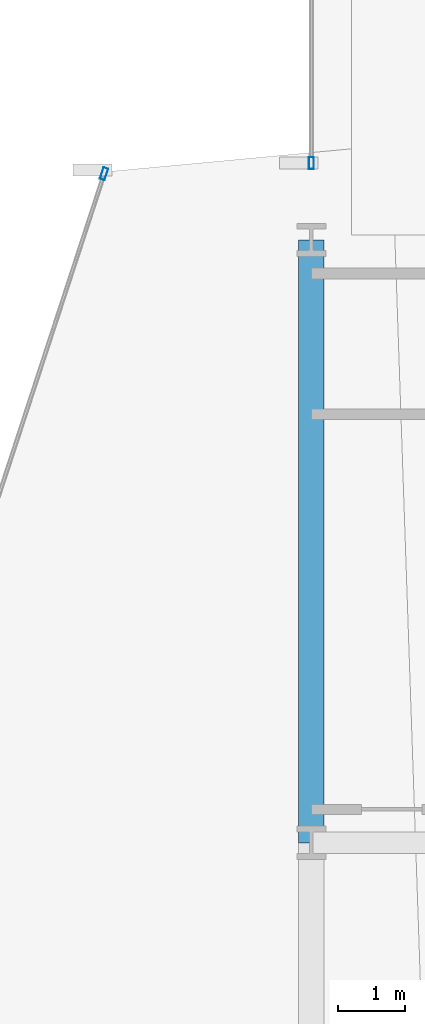
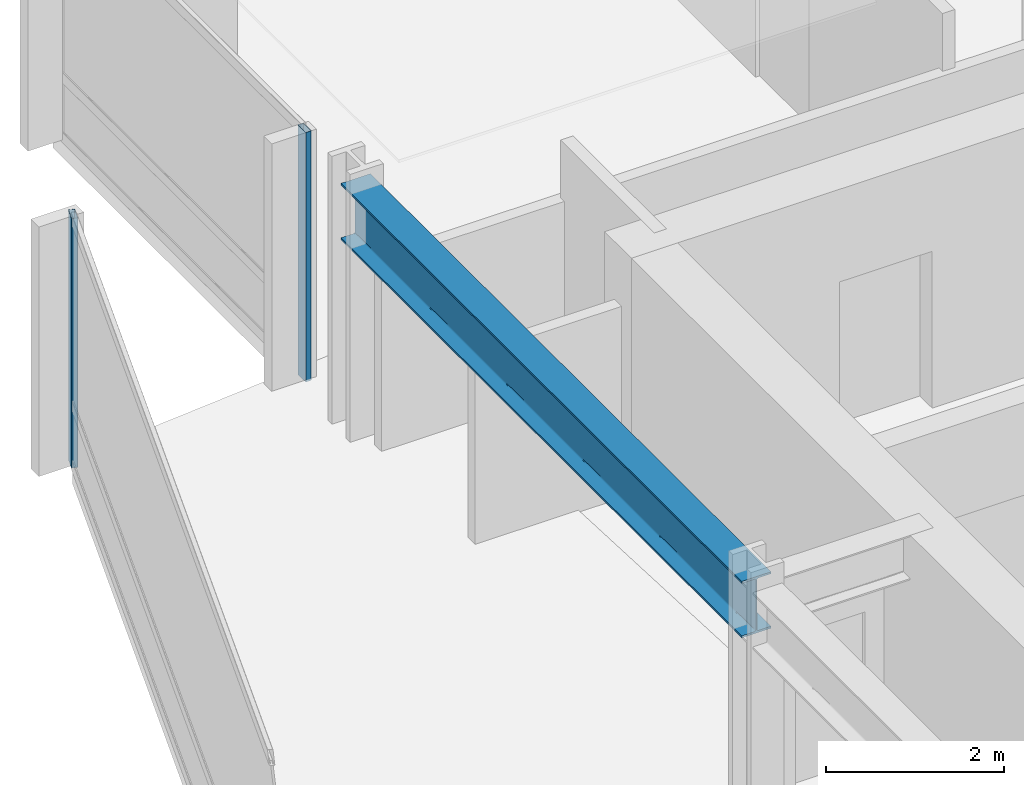
# One storey, part 19 of 34: 2 members, 1 beam, 2 elements without a shape of their own.
"""IFC4 building model written with IfcOpenShell, lengths in metres."""

import ifcopenshell
import ifcopenshell.guid

model = None  # the IFC model being written
_history = None  # IfcOwnerHistory: only IFC2X3 demands one
_inside = {}  # id of a spatial element -> (the spatial element, [elements in it])
_under = {}  # id of a project, library or spatial element -> (it, [spatial elements below it])
_declared = {}  # id of a project -> (the project, [libraries it declares])
_typed = {}  # id of a type object -> (the type object, [elements of that type])
_made_of = {}  # id of a material, layer set ... -> (it, [elements and type objects made of it])


def new_model(schema):
    """Start an empty IFC model of exactly this schema.

    Asked for "IFC4X3", IfcOpenShell would pick the latest addendum, in which some entities
    have other attributes; the version numbers below select the first issue.
    IFC2X3 requires an IfcOwnerHistory on every rooted entity: one is made here for all.
    """
    global model, _history
    if schema == "IFC4X3":
        model = ifcopenshell.file(schema_version=(4, 3, 0, 0))
    else:
        model = ifcopenshell.file(schema=schema)
    _inside.clear()
    _under.clear()
    _declared.clear()
    _typed.clear()
    _made_of.clear()
    _history = None
    if model.schema == "IFC2X3":
        org = make("IfcOrganization", Name="unknown")
        user = make(
            "IfcPersonAndOrganization",
            ThePerson=make("IfcPerson", FamilyName="unknown"),
            TheOrganization=org,
        )
        app = make(
            "IfcApplication",
            ApplicationDeveloper=org,
            Version="unknown",
            ApplicationFullName="unknown",
            ApplicationIdentifier="unknown",
        )
        _history = make(
            "IfcOwnerHistory",
            OwningUser=user,
            OwningApplication=app,
            ChangeAction="ADDED",
            CreationDate=0,
        )
    return model


def make(cls, **values):
    """One entity of the class cls with the attributes given. An attribute that is None is left unset."""
    return model.create_entity(
        cls, **{name: value for name, value in values.items() if value is not None}
    )


def rooted(cls, **values):
    """An entity with a GlobalId (a new one), such as an element, a storey or a relation."""
    return make(cls, GlobalId=ifcopenshell.guid.new(), OwnerHistory=_history, **values)


def si_unit(unit_type, name, prefix=None):
    """IfcSIUnit, for example si_unit("LENGTHUNIT", "METRE", prefix="MILLI")."""
    return make("IfcSIUnit", UnitType=unit_type, Prefix=prefix, Name=name)


def assignment(units):
    """IfcUnitAssignment: the units of a project."""
    return None if units is None else make("IfcUnitAssignment", Units=units)


def point(xyz):
    """IfcCartesianPoint."""
    return None if xyz is None else make("IfcCartesianPoint", Coordinates=xyz)


def direction(xyz):
    """IfcDirection."""
    return None if xyz is None else make("IfcDirection", DirectionRatios=xyz)


def frame(location, z_axis=None, x_axis=None):
    """IfcAxis2Placement3D, a coordinate frame: its origin and axes. An axis left out is left unset."""
    return make(
        "IfcAxis2Placement3D",
        Location=point(location),
        Axis=direction(z_axis),
        RefDirection=direction(x_axis),
    )


def frame_2d(location, x_axis=None):
    """IfcAxis2Placement2D, a coordinate frame in the plane: its origin and x axis."""
    return make(
        "IfcAxis2Placement2D", Location=point(location), RefDirection=direction(x_axis)
    )


def origin():
    """The frame at (0, 0, 0) with its axes left unset."""
    return frame((0.0, 0.0, 0.0))


def origin_2d():
    """The frame at (0, 0) in the plane with its x axis left unset."""
    return frame_2d((0.0, 0.0))


def place(relative_to, where):
    """IfcLocalPlacement: puts the frame where relative to a parent placement (None: the world)."""
    return make(
        "IfcLocalPlacement", PlacementRelTo=relative_to, RelativePlacement=where
    )


def context(
    kind, dimensions, precision=None, world=None, true_north=None, identifier=None
):
    """IfcGeometricRepresentationContext, for example the 3D "Model" context."""
    return make(
        "IfcGeometricRepresentationContext",
        ContextIdentifier=identifier,
        ContextType=kind,
        CoordinateSpaceDimension=dimensions,
        Precision=precision,
        WorldCoordinateSystem=world,
        TrueNorth=true_north,
    )


def subcontext(parent, identifier, kind, view, scale=None):
    """IfcGeometricRepresentationSubContext, for example "Body" below "Model"."""
    return make(
        "IfcGeometricRepresentationSubContext",
        ContextIdentifier=identifier,
        ContextType=kind,
        ParentContext=parent,
        TargetScale=scale,
        TargetView=view,
    )


def project(units=None, contexts=None):
    """IfcProject with its units and contexts."""
    return rooted(
        "IfcProject",
        Name="project",
        RepresentationContexts=contexts,
        UnitsInContext=assignment(units),
    )


def spatial(cls, under=None, at=None, **own):
    """A site, building, storey or space (cls), placed at a placement, below another one or the project."""
    s = rooted(cls, ObjectPlacement=at, **own)
    if under is not None:
        _under.setdefault(under.id(), (under, []))[1].append(s)
    return s


def profile(cls, at=None, kind="AREA", **sizes):
    """A parametric profile (cls). Its sizes go by their IFC names, for example OverallWidth=200.0."""
    return make(cls, ProfileType=kind, Position=at, **sizes)


def hollow_rectangle(**sizes):
    """IfcRectangleHollowProfileDef."""
    return profile("IfcRectangleHollowProfileDef", **sizes)


def i_section(**sizes):
    """IfcIShapeProfileDef."""
    return profile("IfcIShapeProfileDef", **sizes)


def extrude(swept, where, along, depth):
    """IfcExtrudedAreaSolid: the profile swept, set in the frame where, extruded along a direction by depth."""
    return make(
        "IfcExtrudedAreaSolid",
        SweptArea=swept,
        Position=where,
        ExtrudedDirection=direction(along),
        Depth=depth,
    )


def shape(context_of_items, identifier, shape_type, items):
    """IfcShapeRepresentation: the items that make up one representation, for example the "Body"."""
    return make(
        "IfcShapeRepresentation",
        ContextOfItems=context_of_items,
        RepresentationIdentifier=identifier,
        RepresentationType=shape_type,
        Items=items,
    )


def material(Name=None, Category=None):
    """IfcMaterial."""
    return make("IfcMaterial", Name=Name, Category=Category)


def layer(
    of_material, thickness, ventilated=None, Name=None, Category=None, Priority=None
):
    """IfcMaterialLayer: one layer of a wall or slab, of a material (None: an air gap)."""
    return make(
        "IfcMaterialLayer",
        Material=of_material,
        LayerThickness=thickness,
        IsVentilated=ventilated,
        Name=Name,
        Category=Category,
        Priority=Priority,
    )


def layer_set(layers, Name=None):
    """IfcMaterialLayerSet."""
    return make("IfcMaterialLayerSet", MaterialLayers=layers, LayerSetName=Name)


def material_profile(
    of_material, cross_section, Name=None, Category=None, Priority=None
):
    """IfcMaterialProfile: a cross section and its material."""
    return make(
        "IfcMaterialProfile",
        Name=Name,
        Material=of_material,
        Profile=cross_section,
        Priority=Priority,
        Category=Category,
    )


def profile_set(profiles, Name=None, composite=None):
    """IfcMaterialProfileSet."""
    return make(
        "IfcMaterialProfileSet",
        Name=Name,
        MaterialProfiles=profiles,
        CompositeProfile=composite,
    )


def made_of(thing, what):
    """Note that an element or type object is made of a material, layer set ...; save() writes the relation."""
    if what is not None:
        _made_of.setdefault(what.id(), (what, []))[1].append(thing)
    return thing


def type_object(cls, material=None, **own):
    """A type object (cls), such as IfcWallType, which elements share."""
    return made_of(rooted(cls, **own), material)


def element(
    cls,
    number,
    at=None,
    inside=None,
    cuts=None,
    type_object=None,
    material=None,
    context=None,
    identifier="Body",
    shape_type=None,
    held_by="IfcProductDefinitionShape",
    body=None,
    shapes=None,
    **own,
):
    """One element of the class cls, such as IfcWall. Its Tag is "e" and its number.

    at: its placement. inside: the storey or other place that contains it. cuts: it is an
    opening in that element (IfcRelVoidsElement). A single representation is given by context,
    identifier, shape_type and body (its items); several are given by shapes. held_by: the class
    of the entity that holds the representations. save() writes the other relations.
    """
    e = rooted(cls, Tag="e%d" % number, ObjectPlacement=at, **own)
    if body is not None:
        shapes = [shape(context, identifier, shape_type, body)]
    if shapes is not None:
        e.Representation = make(held_by, Representations=shapes)
    if inside is not None:
        _inside.setdefault(inside.id(), (inside, []))[1].append(e)
    if cuts is not None:
        rooted(
            "IfcRelVoidsElement", RelatingBuildingElement=cuts, RelatedOpeningElement=e
        )
    if type_object is not None:
        _typed.setdefault(type_object.id(), (type_object, []))[1].append(e)
    return made_of(e, material)


def aggregate(whole, parts):
    """IfcRelAggregates: a whole, such as a stair, and the parts it consists of."""
    return rooted("IfcRelAggregates", RelatingObject=whole, RelatedObjects=parts)


def save(model, path):
    """Write the relations noted so far, then the file.

    IfcRelAggregates (storeys below a building ...), IfcRelContainedInSpatialStructure (elements
    in a storey), IfcRelDefinesByType, IfcRelAssociatesMaterial and IfcRelDeclares: one each for
    every whole, place, type object, material and project.
    """
    for whole, parts in _under.values():
        aggregate(whole, parts)
    for where, things in _inside.values():
        rooted(
            "IfcRelContainedInSpatialStructure",
            RelatedElements=things,
            RelatingStructure=where,
        )
    for kind, things in _typed.values():
        rooted("IfcRelDefinesByType", RelatedObjects=things, RelatingType=kind)
    for what, things in _made_of.values():
        rooted("IfcRelAssociatesMaterial", RelatedObjects=things, RelatingMaterial=what)
    for by, libraries in _declared.values():
        rooted("IfcRelDeclares", RelatingContext=by, RelatedDefinitions=libraries)
    model.write(path)


model = new_model("IFC4")

# Units and contexts
model_context = context("Model", 3, precision=1e-05, world=origin(), true_north=direction((0.0, 1.0)))
body_context = subcontext(model_context, "Body", "Model", "MODEL_VIEW")
ifc_project = project(units=[si_unit("LENGTHUNIT", "METRE"), si_unit("AREAUNIT", "SQUARE_METRE"), si_unit("VOLUMEUNIT", "CUBIC_METRE"), si_unit("PLANEANGLEUNIT", "RADIAN"), si_unit("MASSUNIT", "GRAM", prefix="KILO")], contexts=[model_context])

# Site, building, storey
site_placement = place(None, origin())
site = spatial("IfcSite", under=ifc_project, at=site_placement, CompositionType="ELEMENT")
building_placement = place(site_placement, origin())
building = spatial("IfcBuilding", under=site, at=building_placement, Name="Solvaryn Broadcast Tower", CompositionType="ELEMENT")
storey_placement = place(building_placement, frame((0.0, 0.0, 54.5)))
storey = spatial("IfcBuildingStorey", under=building, at=storey_placement, Name="L12", CompositionType="ELEMENT", Elevation=54.5)

# Beam
ifc_material_1 = material(Name="Steel ASTM A992 Grade 50", Category="steel")
ifc_material_profile_1 = material_profile(ifc_material_1, i_section(OverallWidth=0.381103515625, OverallDepth=0.77294921875, WebThickness=0.0166015625, FlangeThickness=0.027099609375, FilletRadius=0.01806640625, at=origin_2d()))
ifc_profile_set_1 = profile_set([ifc_material_profile_1], Name="Steel ASTM A992 Grade 50")
beam_type = type_object("IfcBeamType", Name="BM-SP1-W30X173", PredefinedType="USERDEFINED", material=ifc_profile_set_1)
beam_placement = place(storey_placement, frame((9.0, 36.0, 3.033447265625), z_axis=(0.0, 1.0, 0.0), x_axis=(-1.0, 0.0, 0.0)))
element("IfcBeam", 1, at=beam_placement, inside=storey, type_object=beam_type, Name="L12 Spandrel Beam Y (36-45 @ X=9)", ObjectType="SPANDREL", PredefinedType="USERDEFINED", context=body_context, shape_type="SweptSolid", body=[
    extrude(i_section(OverallWidth=0.381103515625, OverallDepth=0.77294921875, WebThickness=0.0166015625, FlangeThickness=0.027099609375, FilletRadius=0.01806640625, at=origin_2d()), origin(), (0.0, 0.0, 1.0), 9.0),
])

# Curtain wall, member
ifc_material_2 = material(Name="Aluminium and Terracotta Unitised Curtain Wall", Category="masonry")
ifc_layer = layer(ifc_material_2, 0.199951171875)
ifc_layer_set = layer_set([ifc_layer], Name="CW-SYS2-LOWMID")
curtain_wall_type = type_object("IfcCurtainWallType", Name="CW-SYS2-LOWMID", PredefinedType="NOTDEFINED", material=ifc_layer_set)
curtain_wall_1_placement = place(storey_placement, origin())
curtain_wall_1 = element("IfcCurtainWall", 2, at=curtain_wall_1_placement, inside=storey, type_object=curtain_wall_type, Name="L12 Curtain Wall DR1", PredefinedType="NOTDEFINED")
ifc_material_3 = material(Name="Anodised Aluminium 6063-T6", Category="aluminium")
ifc_material_profile_2 = material_profile(ifc_material_3, hollow_rectangle(XDim=0.074951171875, YDim=0.179931640625, WallThickness=0.00390625, InnerFilletRadius=0.00390625, OuterFilletRadius=0.008056640625, at=origin_2d()))
ifc_profile_set_2 = profile_set([ifc_material_profile_2], Name="Anodised Aluminium 6063-T6")
member_type = type_object("IfcMemberType", Name="CW-MUL-180", PredefinedType="MULLION", material=ifc_profile_set_2)
member_1_placement = place(storey_placement, frame((5.90673828125, 45.987548828125, 0.0), z_axis=(0.0, 0.0, 1.0), x_axis=(0.950215318429, -0.311594044587, 0.0)))
member_1 = element("IfcMember", 3, at=member_1_placement, type_object=member_type, Name="CWS2 mullion 1", PredefinedType="MULLION", context=body_context, shape_type="SweptSolid", body=[
    extrude(hollow_rectangle(XDim=0.074951171875, YDim=0.179931640625, WallThickness=0.00390625, InnerFilletRadius=0.00390625, OuterFilletRadius=0.008056640625, at=origin_2d()), origin(), (0.0, 0.0, 1.0), 3.419921875),
])
aggregate(curtain_wall_1, [member_1])

curtain_wall_2_placement = place(storey_placement, origin())
curtain_wall_2 = element("IfcCurtainWall", 4, at=curtain_wall_2_placement, inside=storey, type_object=curtain_wall_type, Name="L12 Curtain Wall W2", PredefinedType="NOTDEFINED")
member_2_placement = place(storey_placement, frame((9.0, 46.14599609375, 0.0), z_axis=(0.0, 0.0, 1.0), x_axis=(-1.0, 0.0, 0.0)))
member_2 = element("IfcMember", 5, at=member_2_placement, type_object=member_type, Name="CWS2 mullion 1", PredefinedType="MULLION", context=body_context, shape_type="SweptSolid", body=[
    extrude(hollow_rectangle(XDim=0.074951171875, YDim=0.179931640625, WallThickness=0.00390625, InnerFilletRadius=0.00390625, OuterFilletRadius=0.008056640625, at=origin_2d()), origin(), (0.0, 0.0, 1.0), 3.419921875),
])
aggregate(curtain_wall_2, [member_2])

save(model, "model.ifc")
